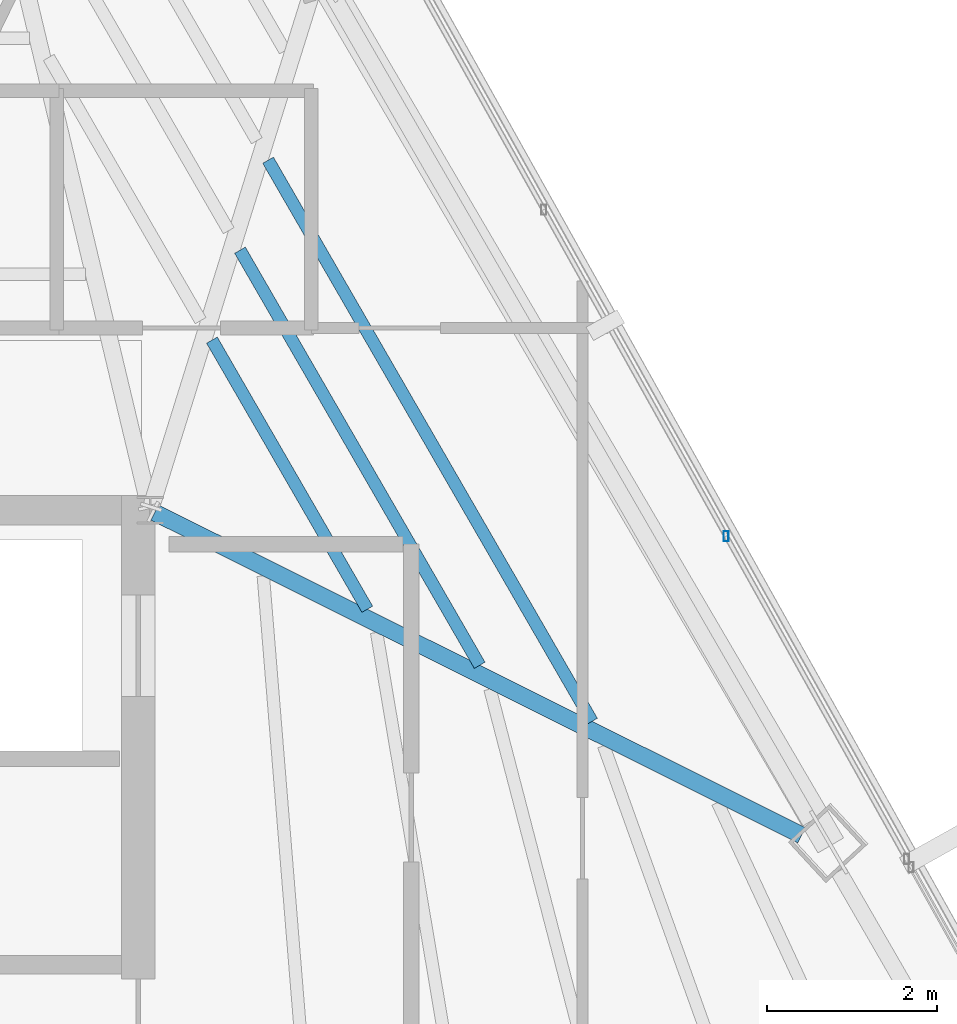
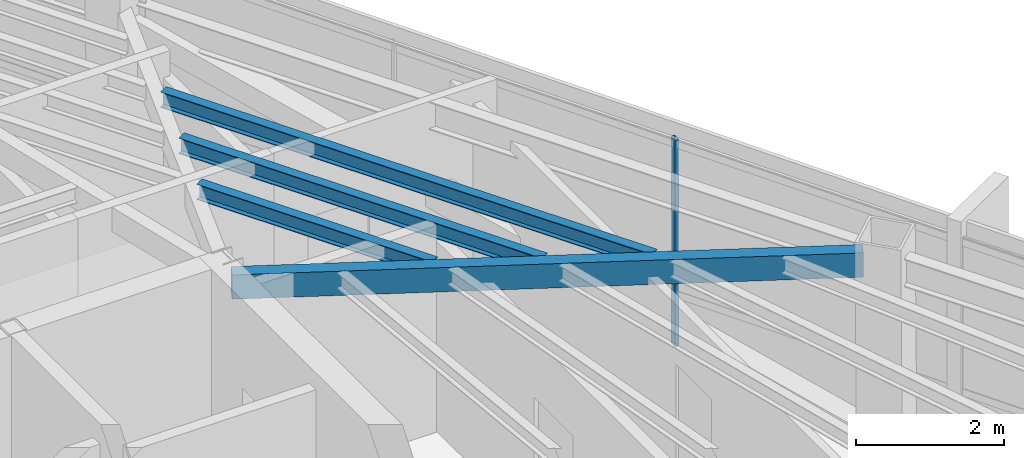
# One storey, part 26 of 45: 4 beams, 1 member, 1 element without a shape of its own.
"""IFC4 building model written with IfcOpenShell, lengths in metres."""

from ifc_helpers import new_model, si_unit, direction, frame, origin, origin_2d, place, context, subcontext, project, spatial, hollow_rectangle, i_section, extrude, source, transform, mapped, material, material_profile, profile_set, type_object, type_shapes, element, aggregate, save


model = new_model("IFC4")

# Units and contexts
model_context = context("Model", 3, precision=1e-05, world=origin(), true_north=direction((0.0, 1.0)))
body_context = subcontext(model_context, "Body", "Model", "MODEL_VIEW")
ifc_project = project(units=[si_unit("LENGTHUNIT", "METRE"), si_unit("AREAUNIT", "SQUARE_METRE"), si_unit("VOLUMEUNIT", "CUBIC_METRE"), si_unit("PLANEANGLEUNIT", "RADIAN"), si_unit("MASSUNIT", "GRAM", prefix="KILO")], contexts=[model_context])

# Site, building, storey
site_placement = place(None, origin())
site = spatial("IfcSite", under=ifc_project, at=site_placement, CompositionType="ELEMENT")
building_placement = place(site_placement, origin())
building = spatial("IfcBuilding", under=site, at=building_placement, Name="Caelisora Broadcast Tower", CompositionType="ELEMENT")
storey_placement = place(building_placement, frame((0.0, 0.0, 266.35009765625)))
storey = spatial("IfcBuildingStorey", under=building, at=storey_placement, Name="L70", CompositionType="ELEMENT", Elevation=266.35009765625)

# Beams
ifc_material_1 = material(Name="Steel Grade 350 (AS/NZS 1163 C350L0)", Category="steel")
ifc_material_profile_1 = material_profile(ifc_material_1, hollow_rectangle(XDim=0.199951171875, YDim=0.39990234375, WallThickness=0.012451171875, at=origin_2d()), Name="Steel Grade 350 (AS/NZS 1163 C350L0)")
ifc_profile_set_1 = profile_set([ifc_material_profile_1], Name="Steel Grade 350 (AS/NZS 1163 C350L0)")
beam_type_1 = type_object("IfcBeamType", Name="PG07", PredefinedType="BEAM", material=ifc_profile_set_1)
shared_shape_1 = source(origin(), body_context, "Body", "SweptSolid", [
    extrude(hollow_rectangle(XDim=0.199951171875, YDim=0.39990234375, WallThickness=0.012451171875, at=origin_2d()), origin(), (0.0, 0.0, 1.0), 8.529052734375),
])
type_shapes(beam_type_1, [shared_shape_1])
beam_1_placement = place(storey_placement, frame((45.5537109375, 29.97314453125, 3.199951171875), z_axis=(0.894844724793, -0.446377551531, 0.0), x_axis=(0.446377551531, 0.894844724793, 0.0)))
element("IfcBeam", 1, at=beam_1_placement, inside=storey, type_object=beam_type_1, Name="L70 beam PG07", PredefinedType="BEAM", context=body_context, shape_type="MappedRepresentation", body=[
    mapped(shared_shape_1, transform((0.0, 0.0, 0.0), scale=1.0)),
])
ifc_material_2 = material(Name="Steel Grade 350 (AS/NZS 3679.1)", Category="steel")
ifc_material_profile_2 = material_profile(ifc_material_2, i_section(OverallWidth=0.14599609375, OverallDepth=0.256103515625, WebThickness=0.00634765625, FlangeThickness=0.010986328125, at=origin_2d()), Name="Steel Grade 350 (AS/NZS 3679.1)")
ifc_profile_set_2 = profile_set([ifc_material_profile_2], Name="Steel Grade 350 (AS/NZS 3679.1)")
beam_type_2 = type_object("IfcBeamType", Name="SB04", PredefinedType="JOIST", material=ifc_profile_set_2)
shared_shape_2 = source(origin(), body_context, "Body", "SweptSolid", [
    extrude(i_section(OverallWidth=0.14599609375, OverallDepth=0.256103515625, WebThickness=0.00634765625, FlangeThickness=0.010986328125, at=origin_2d()), origin(), (0.0, 0.0, 1.0), 3.666015625),
])
beam_2_placement = place(storey_placement, frame((48.061767578125, 28.83203125, 3.271728515625), z_axis=(-0.500006847747, 0.8660214502, 0.0), x_axis=(-0.8660214502, -0.500006847747, 0.0)))
element("IfcBeam", 2, at=beam_2_placement, inside=storey, type_object=beam_type_2, Name="L70 beam SB04", PredefinedType="JOIST", context=body_context, shape_type="MappedRepresentation", body=[
    mapped(shared_shape_2, transform((0.0, 0.0, 0.0), scale=1.0)),
])
shared_shape_3 = source(origin(), body_context, "Body", "SweptSolid", [
    extrude(i_section(OverallWidth=0.14599609375, OverallDepth=0.256103515625, WebThickness=0.00634765625, FlangeThickness=0.010986328125, at=origin_2d()), origin(), (0.0, 0.0, 1.0), 5.654296875),
])
beam_3_placement = place(storey_placement, frame((49.38720703125, 28.1708984375, 3.271728515625), z_axis=(-0.500035156112, 0.866005105443, 0.0), x_axis=(-0.866005105443, -0.500035156112, 0.0)))
element("IfcBeam", 3, at=beam_3_placement, inside=storey, type_object=beam_type_2, Name="L70 beam SB04", PredefinedType="JOIST", context=body_context, shape_type="MappedRepresentation", body=[
    mapped(shared_shape_3, transform((0.0, 0.0, 0.0), scale=1.0)),
])
shared_shape_4 = source(origin(), body_context, "Body", "SweptSolid", [
    extrude(i_section(OverallWidth=0.14599609375, OverallDepth=0.256103515625, WebThickness=0.00634765625, FlangeThickness=0.010986328125, at=origin_2d()), origin(), (0.0, 0.0, 1.0), 7.64306640625),
])
type_shapes(beam_type_2, [shared_shape_2, shared_shape_3, shared_shape_4])
beam_4_placement = place(storey_placement, frame((50.712646484375, 27.509521484375, 3.271728515625), z_axis=(-0.499997113229, 0.866027070456, 0.0), x_axis=(-0.866027070456, -0.499997113229, 0.0)))
element("IfcBeam", 4, at=beam_4_placement, inside=storey, type_object=beam_type_2, Name="L70 beam SB04", PredefinedType="JOIST", context=body_context, shape_type="MappedRepresentation", body=[
    mapped(shared_shape_4, transform((0.0, 0.0, 0.0), scale=1.0)),
])

# Curtain wall, member
ifc_material_3 = material(Name="Unitised Aluminium Insulated Shadow-Box Spandrel Curtain Wall", Category="aluminium")
curtain_wall_type = type_object("IfcCurtainWallType", Name="CW-SP3", PredefinedType="NOTDEFINED", material=ifc_material_3)
curtain_wall_placement = place(storey_placement, origin())
curtain_wall = element("IfcCurtainWall", 5, at=curtain_wall_placement, inside=storey, type_object=curtain_wall_type, Name="L70 curtain wall CW-SP3", PredefinedType="NOTDEFINED")
ifc_material_4 = material(Name="Aluminium 6063-T6 Anodised Terracotta Bronze", Category="aluminium")
ifc_material_profile_3 = material_profile(ifc_material_4, hollow_rectangle(XDim=0.06005859375, YDim=0.1201171875, WallThickness=0.0029296875, at=origin_2d()), Name="Aluminium 6063-T6 Anodised Terracotta Bronze")
ifc_profile_set_3 = profile_set([ifc_material_profile_3], Name="Aluminium 6063-T6 Anodised Terracotta Bronze")
member_type = type_object("IfcMemberType", Name="CWM-04", PredefinedType="MULLION", material=ifc_profile_set_3)
shared_shape_5 = source(origin(), body_context, "Body", "SweptSolid", [
    extrude(hollow_rectangle(XDim=0.06005859375, YDim=0.1201171875, WallThickness=0.0029296875, at=origin_2d()), origin(), (0.0, 0.0, 1.0), 3.39990234375),
])
type_shapes(member_type, [shared_shape_5])
member_placement = place(storey_placement, frame((52.294921875, 29.693115234375, 0.0), z_axis=(0.0, 0.0, 1.0), x_axis=(1.0, 0.0, 0.0)))
member = element("IfcMember", 6, at=member_placement, type_object=member_type, Name="L70-CW-B02 mullion #2", PredefinedType="MULLION", context=body_context, shape_type="MappedRepresentation", body=[
    mapped(shared_shape_5, transform((0.0, 0.0, 0.0), scale=1.0)),
])
aggregate(curtain_wall, [member])

save(model, "model.ifc")
